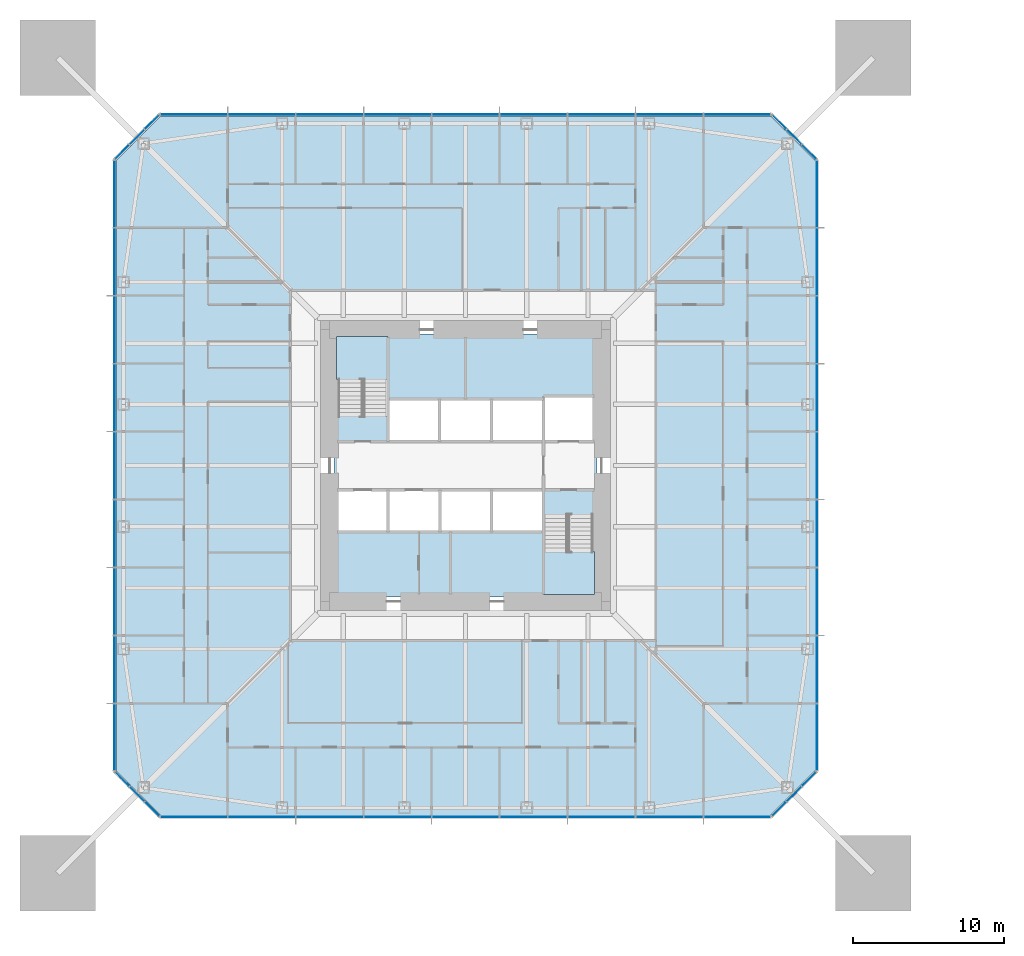
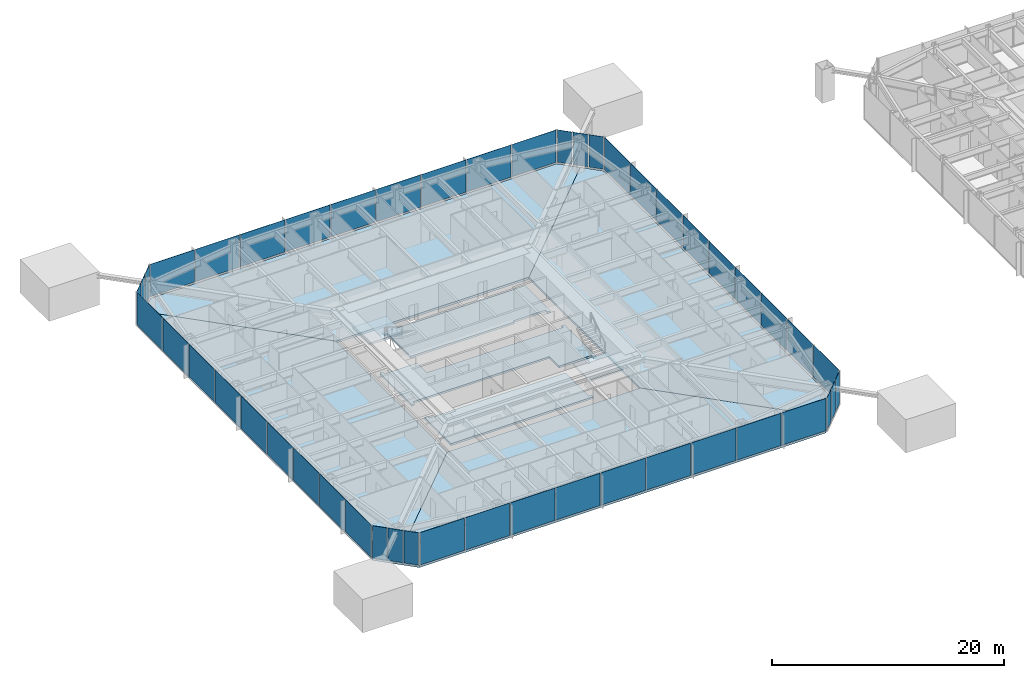
# One storey, part 12 of 26: 48 plates, 9 slabs, 10 elements without a shape of their own.
"""IFC4 building model written with IfcOpenShell, lengths in metres."""

import ifcopenshell
import ifcopenshell.guid

model = None  # the IFC model being written
_history = None  # IfcOwnerHistory: only IFC2X3 demands one
_inside = {}  # id of a spatial element -> (the spatial element, [elements in it])
_under = {}  # id of a project, library or spatial element -> (it, [spatial elements below it])
_declared = {}  # id of a project -> (the project, [libraries it declares])
_typed = {}  # id of a type object -> (the type object, [elements of that type])
_made_of = {}  # id of a material, layer set ... -> (it, [elements and type objects made of it])


def new_model(schema):
    """Start an empty IFC model of exactly this schema.

    Asked for "IFC4X3", IfcOpenShell would pick the latest addendum, in which some entities
    have other attributes; the version numbers below select the first issue.
    IFC2X3 requires an IfcOwnerHistory on every rooted entity: one is made here for all.
    """
    global model, _history
    if schema == "IFC4X3":
        model = ifcopenshell.file(schema_version=(4, 3, 0, 0))
    else:
        model = ifcopenshell.file(schema=schema)
    _inside.clear()
    _under.clear()
    _declared.clear()
    _typed.clear()
    _made_of.clear()
    _history = None
    if model.schema == "IFC2X3":
        org = make("IfcOrganization", Name="unknown")
        user = make(
            "IfcPersonAndOrganization",
            ThePerson=make("IfcPerson", FamilyName="unknown"),
            TheOrganization=org,
        )
        app = make(
            "IfcApplication",
            ApplicationDeveloper=org,
            Version="unknown",
            ApplicationFullName="unknown",
            ApplicationIdentifier="unknown",
        )
        _history = make(
            "IfcOwnerHistory",
            OwningUser=user,
            OwningApplication=app,
            ChangeAction="ADDED",
            CreationDate=0,
        )
    return model


def make(cls, **values):
    """One entity of the class cls with the attributes given. An attribute that is None is left unset."""
    return model.create_entity(
        cls, **{name: value for name, value in values.items() if value is not None}
    )


def rooted(cls, **values):
    """An entity with a GlobalId (a new one), such as an element, a storey or a relation."""
    return make(cls, GlobalId=ifcopenshell.guid.new(), OwnerHistory=_history, **values)


def si_unit(unit_type, name, prefix=None):
    """IfcSIUnit, for example si_unit("LENGTHUNIT", "METRE", prefix="MILLI")."""
    return make("IfcSIUnit", UnitType=unit_type, Prefix=prefix, Name=name)


def assignment(units):
    """IfcUnitAssignment: the units of a project."""
    return None if units is None else make("IfcUnitAssignment", Units=units)


def point(xyz):
    """IfcCartesianPoint."""
    return None if xyz is None else make("IfcCartesianPoint", Coordinates=xyz)


def direction(xyz):
    """IfcDirection."""
    return None if xyz is None else make("IfcDirection", DirectionRatios=xyz)


def frame(location, z_axis=None, x_axis=None):
    """IfcAxis2Placement3D, a coordinate frame: its origin and axes. An axis left out is left unset."""
    return make(
        "IfcAxis2Placement3D",
        Location=point(location),
        Axis=direction(z_axis),
        RefDirection=direction(x_axis),
    )


def frame_2d(location, x_axis=None):
    """IfcAxis2Placement2D, a coordinate frame in the plane: its origin and x axis."""
    return make(
        "IfcAxis2Placement2D", Location=point(location), RefDirection=direction(x_axis)
    )


def origin():
    """The frame at (0, 0, 0) with its axes left unset."""
    return frame((0.0, 0.0, 0.0))


def origin_2d():
    """The frame at (0, 0) in the plane with its x axis left unset."""
    return frame_2d((0.0, 0.0))


def place(relative_to, where):
    """IfcLocalPlacement: puts the frame where relative to a parent placement (None: the world)."""
    return make(
        "IfcLocalPlacement", PlacementRelTo=relative_to, RelativePlacement=where
    )


def context(
    kind, dimensions, precision=None, world=None, true_north=None, identifier=None
):
    """IfcGeometricRepresentationContext, for example the 3D "Model" context."""
    return make(
        "IfcGeometricRepresentationContext",
        ContextIdentifier=identifier,
        ContextType=kind,
        CoordinateSpaceDimension=dimensions,
        Precision=precision,
        WorldCoordinateSystem=world,
        TrueNorth=true_north,
    )


def subcontext(parent, identifier, kind, view, scale=None):
    """IfcGeometricRepresentationSubContext, for example "Body" below "Model"."""
    return make(
        "IfcGeometricRepresentationSubContext",
        ContextIdentifier=identifier,
        ContextType=kind,
        ParentContext=parent,
        TargetScale=scale,
        TargetView=view,
    )


def project(units=None, contexts=None):
    """IfcProject with its units and contexts."""
    return rooted(
        "IfcProject",
        Name="project",
        RepresentationContexts=contexts,
        UnitsInContext=assignment(units),
    )


def spatial(cls, under=None, at=None, **own):
    """A site, building, storey or space (cls), placed at a placement, below another one or the project."""
    s = rooted(cls, ObjectPlacement=at, **own)
    if under is not None:
        _under.setdefault(under.id(), (under, []))[1].append(s)
    return s


def polyline(points):
    """IfcPolyline through the points."""
    return make("IfcPolyline", Points=[point(p) for p in points])


def profile(cls, at=None, kind="AREA", **sizes):
    """A parametric profile (cls). Its sizes go by their IFC names, for example OverallWidth=200.0."""
    return make(cls, ProfileType=kind, Position=at, **sizes)


def rectangle(**sizes):
    """IfcRectangleProfileDef."""
    return profile("IfcRectangleProfileDef", **sizes)


def outline(outer, holes=None, kind="AREA"):
    """IfcArbitraryClosedProfileDef: a profile drawn as a closed curve; with holes, ...WithVoids."""
    if holes is None:
        return make("IfcArbitraryClosedProfileDef", ProfileType=kind, OuterCurve=outer)
    return make(
        "IfcArbitraryProfileDefWithVoids",
        ProfileType=kind,
        OuterCurve=outer,
        InnerCurves=holes,
    )


def extrude(swept, where, along, depth):
    """IfcExtrudedAreaSolid: the profile swept, set in the frame where, extruded along a direction by depth."""
    return make(
        "IfcExtrudedAreaSolid",
        SweptArea=swept,
        Position=where,
        ExtrudedDirection=direction(along),
        Depth=depth,
    )


def shape(context_of_items, identifier, shape_type, items):
    """IfcShapeRepresentation: the items that make up one representation, for example the "Body"."""
    return make(
        "IfcShapeRepresentation",
        ContextOfItems=context_of_items,
        RepresentationIdentifier=identifier,
        RepresentationType=shape_type,
        Items=items,
    )


def material(Name=None, Category=None):
    """IfcMaterial."""
    return make("IfcMaterial", Name=Name, Category=Category)


def layer(
    of_material, thickness, ventilated=None, Name=None, Category=None, Priority=None
):
    """IfcMaterialLayer: one layer of a wall or slab, of a material (None: an air gap)."""
    return make(
        "IfcMaterialLayer",
        Material=of_material,
        LayerThickness=thickness,
        IsVentilated=ventilated,
        Name=Name,
        Category=Category,
        Priority=Priority,
    )


def layer_set(layers, Name=None):
    """IfcMaterialLayerSet."""
    return make("IfcMaterialLayerSet", MaterialLayers=layers, LayerSetName=Name)


def constituent(of_material, Name=None, Category=None, fraction=None):
    """IfcMaterialConstituent: one of the materials an element consists of."""
    return make(
        "IfcMaterialConstituent",
        Name=Name,
        Material=of_material,
        Fraction=fraction,
        Category=Category,
    )


def constituent_set(constituents=None, Name=None):
    """IfcMaterialConstituentSet."""
    return make(
        "IfcMaterialConstituentSet", Name=Name, MaterialConstituents=constituents
    )


def made_of(thing, what):
    """Note that an element or type object is made of a material, layer set ...; save() writes the relation."""
    if what is not None:
        _made_of.setdefault(what.id(), (what, []))[1].append(thing)
    return thing


def type_object(cls, material=None, **own):
    """A type object (cls), such as IfcWallType, which elements share."""
    return made_of(rooted(cls, **own), material)


def element(
    cls,
    number,
    at=None,
    inside=None,
    cuts=None,
    type_object=None,
    material=None,
    context=None,
    identifier="Body",
    shape_type=None,
    held_by="IfcProductDefinitionShape",
    body=None,
    shapes=None,
    **own,
):
    """One element of the class cls, such as IfcWall. Its Tag is "e" and its number.

    at: its placement. inside: the storey or other place that contains it. cuts: it is an
    opening in that element (IfcRelVoidsElement). A single representation is given by context,
    identifier, shape_type and body (its items); several are given by shapes. held_by: the class
    of the entity that holds the representations. save() writes the other relations.
    """
    e = rooted(cls, Tag="e%d" % number, ObjectPlacement=at, **own)
    if body is not None:
        shapes = [shape(context, identifier, shape_type, body)]
    if shapes is not None:
        e.Representation = make(held_by, Representations=shapes)
    if inside is not None:
        _inside.setdefault(inside.id(), (inside, []))[1].append(e)
    if cuts is not None:
        rooted(
            "IfcRelVoidsElement", RelatingBuildingElement=cuts, RelatedOpeningElement=e
        )
    if type_object is not None:
        _typed.setdefault(type_object.id(), (type_object, []))[1].append(e)
    return made_of(e, material)


def aggregate(whole, parts):
    """IfcRelAggregates: a whole, such as a stair, and the parts it consists of."""
    return rooted("IfcRelAggregates", RelatingObject=whole, RelatedObjects=parts)


def save(model, path):
    """Write the relations noted so far, then the file.

    IfcRelAggregates (storeys below a building ...), IfcRelContainedInSpatialStructure (elements
    in a storey), IfcRelDefinesByType, IfcRelAssociatesMaterial and IfcRelDeclares: one each for
    every whole, place, type object, material and project.
    """
    for whole, parts in _under.values():
        aggregate(whole, parts)
    for where, things in _inside.values():
        rooted(
            "IfcRelContainedInSpatialStructure",
            RelatedElements=things,
            RelatingStructure=where,
        )
    for kind, things in _typed.values():
        rooted("IfcRelDefinesByType", RelatedObjects=things, RelatingType=kind)
    for what, things in _made_of.values():
        rooted("IfcRelAssociatesMaterial", RelatedObjects=things, RelatingMaterial=what)
    for by, libraries in _declared.values():
        rooted("IfcRelDeclares", RelatingContext=by, RelatedDefinitions=libraries)
    model.write(path)


model = new_model("IFC4")

# Units and contexts
model_context = context("Model", 3, precision=1e-05, world=origin(), true_north=direction((0.0, 1.0)))
body_context = subcontext(model_context, "Body", "Model", "MODEL_VIEW")
ifc_project = project(units=[si_unit("LENGTHUNIT", "METRE"), si_unit("AREAUNIT", "SQUARE_METRE"), si_unit("VOLUMEUNIT", "CUBIC_METRE"), si_unit("PLANEANGLEUNIT", "RADIAN"), si_unit("MASSUNIT", "GRAM", prefix="KILO")], contexts=[model_context])

# Site, building, storey
site_placement = place(None, origin())
site = spatial("IfcSite", under=ifc_project, at=site_placement, CompositionType="ELEMENT")
building_placement = place(site_placement, origin())
building = spatial("IfcBuilding", under=site, at=building_placement, Name="Iwan Alto Co-Living Towers", CompositionType="ELEMENT")
storey_placement = place(building_placement, frame((0.0, 0.0, 29.0)))
storey = spatial("IfcBuildingStorey", under=building, at=storey_placement, Name="L07", CompositionType="ELEMENT", Elevation=29.0)

# Slabs
ifc_material_1 = material(Name="Concrete f'c 30 MPa", Category="concrete")
ifc_layer_1 = layer(ifc_material_1, 0.199951171875)
ifc_layer_set_1 = layer_set([ifc_layer_1], Name="CORE FLOOR SLAB 200")
slab_type_1 = type_object("IfcSlabType", Name="CORE FLOOR SLAB 200", PredefinedType="FLOOR", material=ifc_layer_set_1)
slab_1_placement = place(storey_placement, frame((0.0, 0.0, -0.199951171875)))
element("IfcSlab", 1, at=slab_1_placement, inside=storey, type_object=slab_type_1, Name="T1 core floor L07", PredefinedType="FLOOR", context=body_context, shape_type="SweptSolid", body=[
    extrude(outline(polyline([(8.699951171875, -3.580078125), (8.39990234375, -3.580078125), (8.39990234375, -3.27001953125), (5.14990234375, -3.27001953125), (5.14990234375, -1.60009765625), (1.72509765625, -1.60009765625), (-1.699951171875, -1.60009765625), (-5.125, -1.60009765625), (-8.39990234375, -1.60009765625), (-8.39990234375, -1.909912109375), (-8.699951171875, -1.909912109375), (-8.699951171875, 3.580078125), (-8.39990234375, 3.580078125), (-8.39990234375, 3.27001953125), (-5.14990234375, 3.27001953125), (-5.14990234375, 1.60009765625), (-1.717041015625, 1.60009765625), (1.717041015625, 1.60009765625), (5.14990234375, 1.60009765625), (8.39990234375, 1.60009765625), (8.39990234375, 1.909912109375), (8.699951171875, 1.909912109375), (8.699951171875, -3.580078125)])), origin(), (0.0, 0.0, 1.0), 0.199951171875),
])
slab_2_placement = place(storey_placement, frame((0.0, 0.0, -0.199951171875)))
element("IfcSlab", 2, at=slab_2_placement, inside=storey, type_object=slab_type_1, Name="T1 core floor L07", PredefinedType="FLOOR", context=body_context, shape_type="SweptSolid", body=[
    extrude(outline(polyline([(-1.699951171875, -4.39990234375), (1.72509765625, -4.39990234375), (5.14990234375, -4.39990234375), (5.14990234375, -8.39990234375), (5.4599609375, -8.39990234375), (5.4599609375, -8.699951171875), (-8.699951171875, -8.699951171875), (-8.699951171875, -4.090087890625), (-8.39990234375, -4.090087890625), (-8.39990234375, -4.39990234375), (-5.125, -4.39990234375), (-1.699951171875, -4.39990234375)])), origin(), (0.0, 0.0, 1.0), 0.199951171875),
])
slab_3_placement = place(storey_placement, frame((0.0, 0.0, -0.199951171875)))
element("IfcSlab", 3, at=slab_3_placement, inside=storey, type_object=slab_type_1, Name="T1 core floor L07", PredefinedType="FLOOR", context=body_context, shape_type="SweptSolid", body=[
    extrude(outline(polyline([(1.717041015625, 4.39990234375), (-1.717041015625, 4.39990234375), (-5.14990234375, 4.39990234375), (-5.14990234375, 8.39990234375), (-5.4599609375, 8.39990234375), (-5.4599609375, 8.699951171875), (8.699951171875, 8.699951171875), (8.699951171875, 4.2900390625), (8.39990234375, 4.2900390625), (8.39990234375, 4.60009765625), (5.14990234375, 4.60009765625), (5.14990234375, 4.39990234375), (1.717041015625, 4.39990234375)])), origin(), (0.0, 0.0, 1.0), 0.199951171875),
])

# Curtain wall, plates
ifc_material_2 = material(Name="Bronze aluminium unitised frame", Category="aluminium")
curtain_wall_type_1 = type_object("IfcCurtainWallType", Name="CURTAIN WALL CW-A", PredefinedType="NOTDEFINED", material=ifc_material_2)
curtain_wall_1_placement = place(storey_placement, origin())
curtain_wall_1 = element("IfcCurtainWall", 4, at=curtain_wall_1_placement, inside=storey, type_object=curtain_wall_type_1, Name="T1 curtain wall S L07", PredefinedType="NOTDEFINED")
ifc_material_3 = material(Name="Bronze-tinted insulating glass", Category="glass")
ifc_layer_2 = layer(ifc_material_3, 0.031982421875)
ifc_layer_set_2 = layer_set([ifc_layer_2], Name="CW-A PANEL TINTED IGU 32")
plate_type_1 = type_object("IfcPlateType", Name="CW-A PANEL TINTED IGU 32", PredefinedType="CURTAIN_PANEL", material=ifc_layer_set_2)
plate_1_placement = place(storey_placement, frame((-17.97998046875, -23.25, 0.10009765625), z_axis=(0.0, 0.0, 1.0), x_axis=(1.0, 0.0, 0.0)))
plate_1 = element("IfcPlate", 5, at=plate_1_placement, type_object=plate_type_1, Name="CW-A panel 1.1", PredefinedType="CURTAIN_PANEL", context=body_context, shape_type="SweptSolid", body=[
    extrude(rectangle(XDim=4.3798828125, YDim=0.031982421875, at=origin_2d()), origin(), (0.0, 0.0, 1.0), 3.39990234375),
])
plate_2_placement = place(storey_placement, frame((-13.5, -23.25, 0.10009765625), z_axis=(0.0, 0.0, 1.0), x_axis=(1.0, 0.0, 0.0)))
plate_2 = element("IfcPlate", 6, at=plate_2_placement, type_object=plate_type_1, Name="CW-A panel 2.1", PredefinedType="CURTAIN_PANEL", context=body_context, shape_type="SweptSolid", body=[
    extrude(rectangle(XDim=4.419921875, YDim=0.031982421875, at=origin_2d()), origin(), (0.0, 0.0, 1.0), 3.39990234375),
])
plate_3_placement = place(storey_placement, frame((-9.0, -23.25, 0.10009765625), z_axis=(0.0, 0.0, 1.0), x_axis=(1.0, 0.0, 0.0)))
plate_3 = element("IfcPlate", 7, at=plate_3_placement, type_object=plate_type_1, Name="CW-A panel 3.1", PredefinedType="CURTAIN_PANEL", context=body_context, shape_type="SweptSolid", body=[
    extrude(rectangle(XDim=4.419921875, YDim=0.031982421875, at=origin_2d()), origin(), (0.0, 0.0, 1.0), 3.39990234375),
])
plate_4_placement = place(storey_placement, frame((-4.5, -23.25, 0.10009765625), z_axis=(0.0, 0.0, 1.0), x_axis=(1.0, 0.0, 0.0)))
plate_4 = element("IfcPlate", 8, at=plate_4_placement, type_object=plate_type_1, Name="CW-A panel 4.1", PredefinedType="CURTAIN_PANEL", context=body_context, shape_type="SweptSolid", body=[
    extrude(rectangle(XDim=4.419921875, YDim=0.031982421875, at=origin_2d()), origin(), (0.0, 0.0, 1.0), 3.39990234375),
])
plate_5_placement = place(storey_placement, frame((0.0, -23.25, 0.10009765625), z_axis=(0.0, 0.0, 1.0), x_axis=(1.0, 0.0, 0.0)))
plate_5 = element("IfcPlate", 9, at=plate_5_placement, type_object=plate_type_1, Name="CW-A panel 5.1", PredefinedType="CURTAIN_PANEL", context=body_context, shape_type="SweptSolid", body=[
    extrude(rectangle(XDim=4.419921875, YDim=0.031982421875, at=origin_2d()), origin(), (0.0, 0.0, 1.0), 3.39990234375),
])
plate_6_placement = place(storey_placement, frame((4.5, -23.25, 0.10009765625), z_axis=(0.0, 0.0, 1.0), x_axis=(1.0, 0.0, 0.0)))
plate_6 = element("IfcPlate", 10, at=plate_6_placement, type_object=plate_type_1, Name="CW-A panel 6.1", PredefinedType="CURTAIN_PANEL", context=body_context, shape_type="SweptSolid", body=[
    extrude(rectangle(XDim=4.419921875, YDim=0.031982421875, at=origin_2d()), origin(), (0.0, 0.0, 1.0), 3.39990234375),
])
plate_7_placement = place(storey_placement, frame((9.0, -23.25, 0.10009765625), z_axis=(0.0, 0.0, 1.0), x_axis=(1.0, 0.0, 0.0)))
plate_7 = element("IfcPlate", 11, at=plate_7_placement, type_object=plate_type_1, Name="CW-A panel 7.1", PredefinedType="CURTAIN_PANEL", context=body_context, shape_type="SweptSolid", body=[
    extrude(rectangle(XDim=4.419921875, YDim=0.031982421875, at=origin_2d()), origin(), (0.0, 0.0, 1.0), 3.39990234375),
])
plate_8_placement = place(storey_placement, frame((13.5, -23.25, 0.10009765625), z_axis=(0.0, 0.0, 1.0), x_axis=(1.0, 0.0, 0.0)))
plate_8 = element("IfcPlate", 12, at=plate_8_placement, type_object=plate_type_1, Name="CW-A panel 8.1", PredefinedType="CURTAIN_PANEL", context=body_context, shape_type="SweptSolid", body=[
    extrude(rectangle(XDim=4.419921875, YDim=0.031982421875, at=origin_2d()), origin(), (0.0, 0.0, 1.0), 3.39990234375),
])
plate_9_placement = place(storey_placement, frame((17.97998046875, -23.25, 0.10009765625), z_axis=(0.0, 0.0, 1.0), x_axis=(1.0, 0.0, 0.0)))
plate_9 = element("IfcPlate", 13, at=plate_9_placement, type_object=plate_type_1, Name="CW-A panel 9.1", PredefinedType="CURTAIN_PANEL", context=body_context, shape_type="SweptSolid", body=[
    extrude(rectangle(XDim=4.3798828125, YDim=0.031982421875, at=origin_2d()), origin(), (0.0, 0.0, 1.0), 3.39990234375),
])
aggregate(curtain_wall_1, [plate_1, plate_2, plate_3, plate_4, plate_5, plate_6, plate_7, plate_8, plate_9])

curtain_wall_2_placement = place(storey_placement, origin())
curtain_wall_2 = element("IfcCurtainWall", 14, at=curtain_wall_2_placement, inside=storey, type_object=curtain_wall_type_1, Name="T1 curtain wall E L07", PredefinedType="NOTDEFINED")
plate_10_placement = place(storey_placement, frame((23.25, -17.97998046875, 0.10009765625), z_axis=(0.0, 0.0, 1.0), x_axis=(0.0, 1.0, 0.0)))
plate_10 = element("IfcPlate", 15, at=plate_10_placement, type_object=plate_type_1, Name="CW-A panel 1.1", PredefinedType="CURTAIN_PANEL", context=body_context, shape_type="SweptSolid", body=[
    extrude(rectangle(XDim=4.3798828125, YDim=0.031982421875, at=origin_2d()), origin(), (0.0, 0.0, 1.0), 3.39990234375),
])
plate_11_placement = place(storey_placement, frame((23.25, -13.5, 0.10009765625), z_axis=(0.0, 0.0, 1.0), x_axis=(0.0, 1.0, 0.0)))
plate_11 = element("IfcPlate", 16, at=plate_11_placement, type_object=plate_type_1, Name="CW-A panel 2.1", PredefinedType="CURTAIN_PANEL", context=body_context, shape_type="SweptSolid", body=[
    extrude(rectangle(XDim=4.419921875, YDim=0.031982421875, at=origin_2d()), origin(), (0.0, 0.0, 1.0), 3.39990234375),
])
plate_12_placement = place(storey_placement, frame((23.25, -9.0, 0.10009765625), z_axis=(0.0, 0.0, 1.0), x_axis=(0.0, 1.0, 0.0)))
plate_12 = element("IfcPlate", 17, at=plate_12_placement, type_object=plate_type_1, Name="CW-A panel 3.1", PredefinedType="CURTAIN_PANEL", context=body_context, shape_type="SweptSolid", body=[
    extrude(rectangle(XDim=4.419921875, YDim=0.031982421875, at=origin_2d()), origin(), (0.0, 0.0, 1.0), 3.39990234375),
])
plate_13_placement = place(storey_placement, frame((23.25, -4.5, 0.10009765625), z_axis=(0.0, 0.0, 1.0), x_axis=(0.0, 1.0, 0.0)))
plate_13 = element("IfcPlate", 18, at=plate_13_placement, type_object=plate_type_1, Name="CW-A panel 4.1", PredefinedType="CURTAIN_PANEL", context=body_context, shape_type="SweptSolid", body=[
    extrude(rectangle(XDim=4.419921875, YDim=0.031982421875, at=origin_2d()), origin(), (0.0, 0.0, 1.0), 3.39990234375),
])
plate_14_placement = place(storey_placement, frame((23.25, 0.0, 0.10009765625), z_axis=(0.0, 0.0, 1.0), x_axis=(0.0, 1.0, 0.0)))
plate_14 = element("IfcPlate", 19, at=plate_14_placement, type_object=plate_type_1, Name="CW-A panel 5.1", PredefinedType="CURTAIN_PANEL", context=body_context, shape_type="SweptSolid", body=[
    extrude(rectangle(XDim=4.419921875, YDim=0.031982421875, at=origin_2d()), origin(), (0.0, 0.0, 1.0), 3.39990234375),
])
plate_15_placement = place(storey_placement, frame((23.25, 4.5, 0.10009765625), z_axis=(0.0, 0.0, 1.0), x_axis=(0.0, 1.0, 0.0)))
plate_15 = element("IfcPlate", 20, at=plate_15_placement, type_object=plate_type_1, Name="CW-A panel 6.1", PredefinedType="CURTAIN_PANEL", context=body_context, shape_type="SweptSolid", body=[
    extrude(rectangle(XDim=4.419921875, YDim=0.031982421875, at=origin_2d()), origin(), (0.0, 0.0, 1.0), 3.39990234375),
])
plate_16_placement = place(storey_placement, frame((23.25, 9.0, 0.10009765625), z_axis=(0.0, 0.0, 1.0), x_axis=(0.0, 1.0, 0.0)))
plate_16 = element("IfcPlate", 21, at=plate_16_placement, type_object=plate_type_1, Name="CW-A panel 7.1", PredefinedType="CURTAIN_PANEL", context=body_context, shape_type="SweptSolid", body=[
    extrude(rectangle(XDim=4.419921875, YDim=0.031982421875, at=origin_2d()), origin(), (0.0, 0.0, 1.0), 3.39990234375),
])
plate_17_placement = place(storey_placement, frame((23.25, 13.5, 0.10009765625), z_axis=(0.0, 0.0, 1.0), x_axis=(0.0, 1.0, 0.0)))
plate_17 = element("IfcPlate", 22, at=plate_17_placement, type_object=plate_type_1, Name="CW-A panel 8.1", PredefinedType="CURTAIN_PANEL", context=body_context, shape_type="SweptSolid", body=[
    extrude(rectangle(XDim=4.419921875, YDim=0.031982421875, at=origin_2d()), origin(), (0.0, 0.0, 1.0), 3.39990234375),
])
plate_18_placement = place(storey_placement, frame((23.25, 17.97998046875, 0.10009765625), z_axis=(0.0, 0.0, 1.0), x_axis=(0.0, 1.0, 0.0)))
plate_18 = element("IfcPlate", 23, at=plate_18_placement, type_object=plate_type_1, Name="CW-A panel 9.1", PredefinedType="CURTAIN_PANEL", context=body_context, shape_type="SweptSolid", body=[
    extrude(rectangle(XDim=4.3798828125, YDim=0.031982421875, at=origin_2d()), origin(), (0.0, 0.0, 1.0), 3.39990234375),
])
aggregate(curtain_wall_2, [plate_10, plate_11, plate_12, plate_13, plate_14, plate_15, plate_16, plate_17, plate_18])

curtain_wall_3_placement = place(storey_placement, origin())
curtain_wall_3 = element("IfcCurtainWall", 24, at=curtain_wall_3_placement, inside=storey, type_object=curtain_wall_type_1, Name="T1 curtain wall N L07", PredefinedType="NOTDEFINED")
plate_19_placement = place(storey_placement, frame((17.97998046875, 23.25, 0.10009765625), z_axis=(0.0, 0.0, 1.0), x_axis=(-1.0, 0.0, 0.0)))
plate_19 = element("IfcPlate", 25, at=plate_19_placement, type_object=plate_type_1, Name="CW-A panel 1.1", PredefinedType="CURTAIN_PANEL", context=body_context, shape_type="SweptSolid", body=[
    extrude(rectangle(XDim=4.3798828125, YDim=0.031982421875, at=origin_2d()), origin(), (0.0, 0.0, 1.0), 3.39990234375),
])
plate_20_placement = place(storey_placement, frame((13.5, 23.25, 0.10009765625), z_axis=(0.0, 0.0, 1.0), x_axis=(-1.0, 0.0, 0.0)))
plate_20 = element("IfcPlate", 26, at=plate_20_placement, type_object=plate_type_1, Name="CW-A panel 2.1", PredefinedType="CURTAIN_PANEL", context=body_context, shape_type="SweptSolid", body=[
    extrude(rectangle(XDim=4.419921875, YDim=0.031982421875, at=origin_2d()), origin(), (0.0, 0.0, 1.0), 3.39990234375),
])
plate_21_placement = place(storey_placement, frame((9.0, 23.25, 0.10009765625), z_axis=(0.0, 0.0, 1.0), x_axis=(-1.0, 0.0, 0.0)))
plate_21 = element("IfcPlate", 27, at=plate_21_placement, type_object=plate_type_1, Name="CW-A panel 3.1", PredefinedType="CURTAIN_PANEL", context=body_context, shape_type="SweptSolid", body=[
    extrude(rectangle(XDim=4.419921875, YDim=0.031982421875, at=origin_2d()), origin(), (0.0, 0.0, 1.0), 3.39990234375),
])
plate_22_placement = place(storey_placement, frame((4.5, 23.25, 0.10009765625), z_axis=(0.0, 0.0, 1.0), x_axis=(-1.0, 0.0, 0.0)))
plate_22 = element("IfcPlate", 28, at=plate_22_placement, type_object=plate_type_1, Name="CW-A panel 4.1", PredefinedType="CURTAIN_PANEL", context=body_context, shape_type="SweptSolid", body=[
    extrude(rectangle(XDim=4.419921875, YDim=0.031982421875, at=origin_2d()), origin(), (0.0, 0.0, 1.0), 3.39990234375),
])
plate_23_placement = place(storey_placement, frame((0.0, 23.25, 0.10009765625), z_axis=(0.0, 0.0, 1.0), x_axis=(-1.0, 0.0, 0.0)))
plate_23 = element("IfcPlate", 29, at=plate_23_placement, type_object=plate_type_1, Name="CW-A panel 5.1", PredefinedType="CURTAIN_PANEL", context=body_context, shape_type="SweptSolid", body=[
    extrude(rectangle(XDim=4.419921875, YDim=0.031982421875, at=origin_2d()), origin(), (0.0, 0.0, 1.0), 3.39990234375),
])
plate_24_placement = place(storey_placement, frame((-4.5, 23.25, 0.10009765625), z_axis=(0.0, 0.0, 1.0), x_axis=(-1.0, 0.0, 0.0)))
plate_24 = element("IfcPlate", 30, at=plate_24_placement, type_object=plate_type_1, Name="CW-A panel 6.1", PredefinedType="CURTAIN_PANEL", context=body_context, shape_type="SweptSolid", body=[
    extrude(rectangle(XDim=4.419921875, YDim=0.031982421875, at=origin_2d()), origin(), (0.0, 0.0, 1.0), 3.39990234375),
])
plate_25_placement = place(storey_placement, frame((-9.0, 23.25, 0.10009765625), z_axis=(0.0, 0.0, 1.0), x_axis=(-1.0, 0.0, 0.0)))
plate_25 = element("IfcPlate", 31, at=plate_25_placement, type_object=plate_type_1, Name="CW-A panel 7.1", PredefinedType="CURTAIN_PANEL", context=body_context, shape_type="SweptSolid", body=[
    extrude(rectangle(XDim=4.419921875, YDim=0.031982421875, at=origin_2d()), origin(), (0.0, 0.0, 1.0), 3.39990234375),
])
plate_26_placement = place(storey_placement, frame((-13.5, 23.25, 0.10009765625), z_axis=(0.0, 0.0, 1.0), x_axis=(-1.0, 0.0, 0.0)))
plate_26 = element("IfcPlate", 32, at=plate_26_placement, type_object=plate_type_1, Name="CW-A panel 8.1", PredefinedType="CURTAIN_PANEL", context=body_context, shape_type="SweptSolid", body=[
    extrude(rectangle(XDim=4.419921875, YDim=0.031982421875, at=origin_2d()), origin(), (0.0, 0.0, 1.0), 3.39990234375),
])
plate_27_placement = place(storey_placement, frame((-17.97998046875, 23.25, 0.10009765625), z_axis=(0.0, 0.0, 1.0), x_axis=(-1.0, 0.0, 0.0)))
plate_27 = element("IfcPlate", 33, at=plate_27_placement, type_object=plate_type_1, Name="CW-A panel 9.1", PredefinedType="CURTAIN_PANEL", context=body_context, shape_type="SweptSolid", body=[
    extrude(rectangle(XDim=4.3798828125, YDim=0.031982421875, at=origin_2d()), origin(), (0.0, 0.0, 1.0), 3.39990234375),
])
aggregate(curtain_wall_3, [plate_19, plate_20, plate_21, plate_22, plate_23, plate_24, plate_25, plate_26, plate_27])

curtain_wall_4_placement = place(storey_placement, origin())
curtain_wall_4 = element("IfcCurtainWall", 34, at=curtain_wall_4_placement, inside=storey, type_object=curtain_wall_type_1, Name="T1 curtain wall W L07", PredefinedType="NOTDEFINED")
plate_28_placement = place(storey_placement, frame((-23.25, 17.97998046875, 0.10009765625), z_axis=(0.0, 0.0, 1.0), x_axis=(0.0, -1.0, 0.0)))
plate_28 = element("IfcPlate", 35, at=plate_28_placement, type_object=plate_type_1, Name="CW-A panel 1.1", PredefinedType="CURTAIN_PANEL", context=body_context, shape_type="SweptSolid", body=[
    extrude(rectangle(XDim=4.3798828125, YDim=0.031982421875, at=origin_2d()), origin(), (0.0, 0.0, 1.0), 3.39990234375),
])
plate_29_placement = place(storey_placement, frame((-23.25, 13.5, 0.10009765625), z_axis=(0.0, 0.0, 1.0), x_axis=(0.0, -1.0, 0.0)))
plate_29 = element("IfcPlate", 36, at=plate_29_placement, type_object=plate_type_1, Name="CW-A panel 2.1", PredefinedType="CURTAIN_PANEL", context=body_context, shape_type="SweptSolid", body=[
    extrude(rectangle(XDim=4.419921875, YDim=0.031982421875, at=origin_2d()), origin(), (0.0, 0.0, 1.0), 3.39990234375),
])
plate_30_placement = place(storey_placement, frame((-23.25, 9.0, 0.10009765625), z_axis=(0.0, 0.0, 1.0), x_axis=(0.0, -1.0, 0.0)))
plate_30 = element("IfcPlate", 37, at=plate_30_placement, type_object=plate_type_1, Name="CW-A panel 3.1", PredefinedType="CURTAIN_PANEL", context=body_context, shape_type="SweptSolid", body=[
    extrude(rectangle(XDim=4.419921875, YDim=0.031982421875, at=origin_2d()), origin(), (0.0, 0.0, 1.0), 3.39990234375),
])
plate_31_placement = place(storey_placement, frame((-23.25, 4.5, 0.10009765625), z_axis=(0.0, 0.0, 1.0), x_axis=(0.0, -1.0, 0.0)))
plate_31 = element("IfcPlate", 38, at=plate_31_placement, type_object=plate_type_1, Name="CW-A panel 4.1", PredefinedType="CURTAIN_PANEL", context=body_context, shape_type="SweptSolid", body=[
    extrude(rectangle(XDim=4.419921875, YDim=0.031982421875, at=origin_2d()), origin(), (0.0, 0.0, 1.0), 3.39990234375),
])
plate_32_placement = place(storey_placement, frame((-23.25, 0.0, 0.10009765625), z_axis=(0.0, 0.0, 1.0), x_axis=(0.0, -1.0, 0.0)))
plate_32 = element("IfcPlate", 39, at=plate_32_placement, type_object=plate_type_1, Name="CW-A panel 5.1", PredefinedType="CURTAIN_PANEL", context=body_context, shape_type="SweptSolid", body=[
    extrude(rectangle(XDim=4.419921875, YDim=0.031982421875, at=origin_2d()), origin(), (0.0, 0.0, 1.0), 3.39990234375),
])
plate_33_placement = place(storey_placement, frame((-23.25, -4.5, 0.10009765625), z_axis=(0.0, 0.0, 1.0), x_axis=(0.0, -1.0, 0.0)))
plate_33 = element("IfcPlate", 40, at=plate_33_placement, type_object=plate_type_1, Name="CW-A panel 6.1", PredefinedType="CURTAIN_PANEL", context=body_context, shape_type="SweptSolid", body=[
    extrude(rectangle(XDim=4.419921875, YDim=0.031982421875, at=origin_2d()), origin(), (0.0, 0.0, 1.0), 3.39990234375),
])
plate_34_placement = place(storey_placement, frame((-23.25, -9.0, 0.10009765625), z_axis=(0.0, 0.0, 1.0), x_axis=(0.0, -1.0, 0.0)))
plate_34 = element("IfcPlate", 41, at=plate_34_placement, type_object=plate_type_1, Name="CW-A panel 7.1", PredefinedType="CURTAIN_PANEL", context=body_context, shape_type="SweptSolid", body=[
    extrude(rectangle(XDim=4.419921875, YDim=0.031982421875, at=origin_2d()), origin(), (0.0, 0.0, 1.0), 3.39990234375),
])
plate_35_placement = place(storey_placement, frame((-23.25, -13.5, 0.10009765625), z_axis=(0.0, 0.0, 1.0), x_axis=(0.0, -1.0, 0.0)))
plate_35 = element("IfcPlate", 42, at=plate_35_placement, type_object=plate_type_1, Name="CW-A panel 8.1", PredefinedType="CURTAIN_PANEL", context=body_context, shape_type="SweptSolid", body=[
    extrude(rectangle(XDim=4.419921875, YDim=0.031982421875, at=origin_2d()), origin(), (0.0, 0.0, 1.0), 3.39990234375),
])
plate_36_placement = place(storey_placement, frame((-23.25, -17.97998046875, 0.10009765625), z_axis=(0.0, 0.0, 1.0), x_axis=(0.0, -1.0, 0.0)))
plate_36 = element("IfcPlate", 43, at=plate_36_placement, type_object=plate_type_1, Name="CW-A panel 9.1", PredefinedType="CURTAIN_PANEL", context=body_context, shape_type="SweptSolid", body=[
    extrude(rectangle(XDim=4.3798828125, YDim=0.031982421875, at=origin_2d()), origin(), (0.0, 0.0, 1.0), 3.39990234375),
])
aggregate(curtain_wall_4, [plate_28, plate_29, plate_30, plate_31, plate_32, plate_33, plate_34, plate_35, plate_36])

ifc_material_4 = material(Name="Bronze aluminium unitised frame", Category="aluminium")
curtain_wall_type_2 = type_object("IfcCurtainWallType", Name="CURTAIN WALL CW-B", PredefinedType="NOTDEFINED", material=ifc_material_4)
curtain_wall_5_placement = place(storey_placement, origin())
curtain_wall_5 = element("IfcCurtainWall", 44, at=curtain_wall_5_placement, inside=storey, type_object=curtain_wall_type_2, Name="T1 chamfer curtain wall SE L07", PredefinedType="NOTDEFINED")
ifc_material_5 = material(Name="Bronze-tinted insulating glass", Category="glass")
ifc_layer_3 = layer(ifc_material_5, 0.031982421875)
ifc_layer_set_3 = layer_set([ifc_layer_3], Name="CW-B PANEL TINTED IGU 32")
plate_type_2 = type_object("IfcPlateType", Name="CW-B PANEL TINTED IGU 32", PredefinedType="CURTAIN_PANEL", material=ifc_layer_set_3)
plate_37_placement = place(storey_placement, frame((20.76416015625, -22.73583984375, 0.10009765625), z_axis=(0.0, 0.0, 1.0), x_axis=(0.707106781187, 0.707106781187, 0.0)))
plate_37 = element("IfcPlate", 45, at=plate_37_placement, type_object=plate_type_2, Name="CW-B panel 1.1", PredefinedType="CURTAIN_PANEL", context=body_context, shape_type="SweptSolid", body=[
    extrude(rectangle(XDim=1.294189453125, YDim=0.031982421875, at=origin_2d()), origin(), (0.0, 0.0, 1.0), 3.39990234375),
])
plate_38_placement = place(storey_placement, frame((21.75, -21.75, 0.10009765625), z_axis=(0.0, 0.0, 1.0), x_axis=(0.707106781187, 0.707106781187, 0.0)))
plate_38 = element("IfcPlate", 46, at=plate_38_placement, type_object=plate_type_2, Name="CW-B panel 2.1", PredefinedType="CURTAIN_PANEL", context=body_context, shape_type="SweptSolid", body=[
    extrude(rectangle(XDim=1.334228515625, YDim=0.031982421875, at=origin_2d()), origin(), (0.0, 0.0, 1.0), 3.39990234375),
])
plate_39_placement = place(storey_placement, frame((22.73583984375, -20.76416015625, 0.10009765625), z_axis=(0.0, 0.0, 1.0), x_axis=(0.707106781187, 0.707106781187, 0.0)))
plate_39 = element("IfcPlate", 47, at=plate_39_placement, type_object=plate_type_2, Name="CW-B panel 3.1", PredefinedType="CURTAIN_PANEL", context=body_context, shape_type="SweptSolid", body=[
    extrude(rectangle(XDim=1.294189453125, YDim=0.031982421875, at=origin_2d()), origin(), (0.0, 0.0, 1.0), 3.39990234375),
])
aggregate(curtain_wall_5, [plate_37, plate_38, plate_39])

curtain_wall_6_placement = place(storey_placement, origin())
curtain_wall_6 = element("IfcCurtainWall", 48, at=curtain_wall_6_placement, inside=storey, type_object=curtain_wall_type_2, Name="T1 chamfer curtain wall NE L07", PredefinedType="NOTDEFINED")
plate_40_placement = place(storey_placement, frame((22.73583984375, 20.76416015625, 0.10009765625), z_axis=(0.0, 0.0, 1.0), x_axis=(-0.707106781187, 0.707106781187, 0.0)))
plate_40 = element("IfcPlate", 49, at=plate_40_placement, type_object=plate_type_2, Name="CW-B panel 1.1", PredefinedType="CURTAIN_PANEL", context=body_context, shape_type="SweptSolid", body=[
    extrude(rectangle(XDim=1.294189453125, YDim=0.031982421875, at=origin_2d()), origin(), (0.0, 0.0, 1.0), 3.39990234375),
])
plate_41_placement = place(storey_placement, frame((21.75, 21.75, 0.10009765625), z_axis=(0.0, 0.0, 1.0), x_axis=(-0.707106781187, 0.707106781187, 0.0)))
plate_41 = element("IfcPlate", 50, at=plate_41_placement, type_object=plate_type_2, Name="CW-B panel 2.1", PredefinedType="CURTAIN_PANEL", context=body_context, shape_type="SweptSolid", body=[
    extrude(rectangle(XDim=1.334228515625, YDim=0.031982421875, at=origin_2d()), origin(), (0.0, 0.0, 1.0), 3.39990234375),
])
plate_42_placement = place(storey_placement, frame((20.76416015625, 22.73583984375, 0.10009765625), z_axis=(0.0, 0.0, 1.0), x_axis=(-0.707106781187, 0.707106781187, 0.0)))
plate_42 = element("IfcPlate", 51, at=plate_42_placement, type_object=plate_type_2, Name="CW-B panel 3.1", PredefinedType="CURTAIN_PANEL", context=body_context, shape_type="SweptSolid", body=[
    extrude(rectangle(XDim=1.294189453125, YDim=0.031982421875, at=origin_2d()), origin(), (0.0, 0.0, 1.0), 3.39990234375),
])
aggregate(curtain_wall_6, [plate_40, plate_41, plate_42])

curtain_wall_7_placement = place(storey_placement, origin())
curtain_wall_7 = element("IfcCurtainWall", 52, at=curtain_wall_7_placement, inside=storey, type_object=curtain_wall_type_2, Name="T1 chamfer curtain wall NW L07", PredefinedType="NOTDEFINED")
plate_43_placement = place(storey_placement, frame((-20.76416015625, 22.73583984375, 0.10009765625), z_axis=(0.0, 0.0, 1.0), x_axis=(-0.707106781187, -0.707106781187, 0.0)))
plate_43 = element("IfcPlate", 53, at=plate_43_placement, type_object=plate_type_2, Name="CW-B panel 1.1", PredefinedType="CURTAIN_PANEL", context=body_context, shape_type="SweptSolid", body=[
    extrude(rectangle(XDim=1.294189453125, YDim=0.031982421875, at=origin_2d()), origin(), (0.0, 0.0, 1.0), 3.39990234375),
])
plate_44_placement = place(storey_placement, frame((-21.75, 21.75, 0.10009765625), z_axis=(0.0, 0.0, 1.0), x_axis=(-0.707106781187, -0.707106781187, 0.0)))
plate_44 = element("IfcPlate", 54, at=plate_44_placement, type_object=plate_type_2, Name="CW-B panel 2.1", PredefinedType="CURTAIN_PANEL", context=body_context, shape_type="SweptSolid", body=[
    extrude(rectangle(XDim=1.334228515625, YDim=0.031982421875, at=origin_2d()), origin(), (0.0, 0.0, 1.0), 3.39990234375),
])
plate_45_placement = place(storey_placement, frame((-22.73583984375, 20.76416015625, 0.10009765625), z_axis=(0.0, 0.0, 1.0), x_axis=(-0.707106781187, -0.707106781187, 0.0)))
plate_45 = element("IfcPlate", 55, at=plate_45_placement, type_object=plate_type_2, Name="CW-B panel 3.1", PredefinedType="CURTAIN_PANEL", context=body_context, shape_type="SweptSolid", body=[
    extrude(rectangle(XDim=1.294189453125, YDim=0.031982421875, at=origin_2d()), origin(), (0.0, 0.0, 1.0), 3.39990234375),
])
aggregate(curtain_wall_7, [plate_43, plate_44, plate_45])

curtain_wall_8_placement = place(storey_placement, origin())
curtain_wall_8 = element("IfcCurtainWall", 56, at=curtain_wall_8_placement, inside=storey, type_object=curtain_wall_type_2, Name="T1 chamfer curtain wall SW L07", PredefinedType="NOTDEFINED")
plate_46_placement = place(storey_placement, frame((-22.73583984375, -20.76416015625, 0.10009765625), z_axis=(0.0, 0.0, 1.0), x_axis=(0.707106781187, -0.707106781187, 0.0)))
plate_46 = element("IfcPlate", 57, at=plate_46_placement, type_object=plate_type_2, Name="CW-B panel 1.1", PredefinedType="CURTAIN_PANEL", context=body_context, shape_type="SweptSolid", body=[
    extrude(rectangle(XDim=1.294189453125, YDim=0.031982421875, at=origin_2d()), origin(), (0.0, 0.0, 1.0), 3.39990234375),
])
plate_47_placement = place(storey_placement, frame((-21.75, -21.75, 0.10009765625), z_axis=(0.0, 0.0, 1.0), x_axis=(0.707106781187, -0.707106781187, 0.0)))
plate_47 = element("IfcPlate", 58, at=plate_47_placement, type_object=plate_type_2, Name="CW-B panel 2.1", PredefinedType="CURTAIN_PANEL", context=body_context, shape_type="SweptSolid", body=[
    extrude(rectangle(XDim=1.334228515625, YDim=0.031982421875, at=origin_2d()), origin(), (0.0, 0.0, 1.0), 3.39990234375),
])
plate_48_placement = place(storey_placement, frame((-20.76416015625, -22.73583984375, 0.10009765625), z_axis=(0.0, 0.0, 1.0), x_axis=(0.707106781187, -0.707106781187, 0.0)))
plate_48 = element("IfcPlate", 59, at=plate_48_placement, type_object=plate_type_2, Name="CW-B panel 3.1", PredefinedType="CURTAIN_PANEL", context=body_context, shape_type="SweptSolid", body=[
    extrude(rectangle(XDim=1.294189453125, YDim=0.031982421875, at=origin_2d()), origin(), (0.0, 0.0, 1.0), 3.39990234375),
])
aggregate(curtain_wall_8, [plate_46, plate_47, plate_48])

# Stair, slab
ifc_material_6 = material(Name="Steel ASTM A36", Category="steel")
ifc_constituent_1 = constituent(ifc_material_6, Name="Stringers", Category="LoadBearing")
ifc_material_7 = material(Name="Concrete f'c 30 MPa", Category="concrete")
ifc_constituent_2 = constituent(ifc_material_7, Name="Tread fill", Category="Finish")
ifc_constituent_set = constituent_set(constituents=[ifc_constituent_1, ifc_constituent_2], Name="STAIR 3500 TWO-FLIGHT T1 CORE")
stair_type = type_object("IfcStairType", Name="STAIR 3500 TWO-FLIGHT T1 CORE", PredefinedType="HALF_TURN_STAIR", material=ifc_constituent_set)
stair_1_placement = place(storey_placement, origin())
stair_1 = element("IfcStair", 60, at=stair_1_placement, inside=storey, type_object=stair_type, Name="Stair T1-S1 L07 to L08", PredefinedType="HALF_TURN_STAIR")
ifc_material_8 = material(Name="Concrete f'c 30 MPa", Category="concrete")
ifc_layer_4 = layer(ifc_material_8, 0.199951171875)
ifc_layer_set_4 = layer_set([ifc_layer_4], Name="STAIR LANDING 200")
slab_type_2 = type_object("IfcSlabType", Name="STAIR LANDING 200", PredefinedType="LANDING", material=ifc_layer_set_4)
slab_4_placement = place(storey_placement, frame((0.0, 0.0, 1.550048828125)))
slab_4 = element("IfcSlab", 61, at=slab_4_placement, type_object=slab_type_2, Name="T1-S1 landing 1", PredefinedType="LANDING", context=body_context, shape_type="SweptSolid", body=[
    extrude(outline(polyline([(-8.550048828125, 5.68994140625), (-8.550048828125, 8.550048828125), (-5.14990234375, 8.550048828125), (-5.14990234375, 5.68994140625), (-8.550048828125, 5.68994140625)])), origin(), (0.0, 0.0, 1.0), 0.199951171875),
])
aggregate(stair_1, [slab_4])

stair_2_placement = place(storey_placement, origin())
stair_2 = element("IfcStair", 62, at=stair_2_placement, inside=storey, type_object=stair_type, Name="Stair T1-S2 L07 to L08", PredefinedType="HALF_TURN_STAIR")
slab_5_placement = place(storey_placement, frame((0.0, 0.0, 1.550048828125)))
slab_5 = element("IfcSlab", 63, at=slab_5_placement, type_object=slab_type_2, Name="T1-S2 landing 1", PredefinedType="LANDING", context=body_context, shape_type="SweptSolid", body=[
    extrude(outline(polyline([(5.14990234375, -5.68994140625), (5.14990234375, -8.550048828125), (8.550048828125, -8.550048828125), (8.550048828125, -5.68994140625), (5.14990234375, -5.68994140625)])), origin(), (0.0, 0.0, 1.0), 0.199951171875),
])
aggregate(stair_2, [slab_5])

# Slabs
ifc_material_9 = material(Name="Concrete f'c 30 MPa", Category="concrete")
ifc_layer_5 = layer(ifc_material_9, 0.22998046875)
ifc_layer_set_5 = layer_set([ifc_layer_5], Name="T1 FLOOR SLAB 230")
slab_type_3 = type_object("IfcSlabType", Name="T1 FLOOR SLAB 230", PredefinedType="FLOOR", material=ifc_layer_set_5)
slab_6_placement = place(storey_placement, frame((0.0, 0.0, -0.22998046875)))
element("IfcSlab", 64, at=slab_6_placement, inside=storey, type_object=slab_type_3, Name="T1 floor slab L07 S pour", PredefinedType="FLOOR", context=body_context, shape_type="SweptSolid", body=[
    extrude(outline(polyline([(20.19140625, -23.14990234375), (-20.19140625, -23.14990234375), (-21.670654296875, -21.670654296875), (-9.60009765625, -9.60009765625), (9.60009765625, -9.60009765625), (21.670654296875, -21.670654296875), (20.19140625, -23.14990234375)])), origin(), (0.0, 0.0, 1.0), 0.22998046875),
])
slab_7_placement = place(storey_placement, frame((0.0, 0.0, -0.22998046875)))
element("IfcSlab", 65, at=slab_7_placement, inside=storey, type_object=slab_type_3, Name="T1 floor slab L07 E pour", PredefinedType="FLOOR", context=body_context, shape_type="SweptSolid", body=[
    extrude(outline(polyline([(23.14990234375, 20.19140625), (23.14990234375, -20.19140625), (21.670654296875, -21.670654296875), (9.60009765625, -9.60009765625), (9.60009765625, 9.60009765625), (21.670654296875, 21.670654296875), (23.14990234375, 20.19140625)])), origin(), (0.0, 0.0, 1.0), 0.22998046875),
])
slab_8_placement = place(storey_placement, frame((0.0, 0.0, -0.22998046875)))
element("IfcSlab", 66, at=slab_8_placement, inside=storey, type_object=slab_type_3, Name="T1 floor slab L07 N pour", PredefinedType="FLOOR", context=body_context, shape_type="SweptSolid", body=[
    extrude(outline(polyline([(-20.19140625, 23.14990234375), (20.19140625, 23.14990234375), (21.670654296875, 21.670654296875), (9.60009765625, 9.60009765625), (-9.60009765625, 9.60009765625), (-21.670654296875, 21.670654296875), (-20.19140625, 23.14990234375)])), origin(), (0.0, 0.0, 1.0), 0.22998046875),
])
slab_9_placement = place(storey_placement, frame((0.0, 0.0, -0.22998046875)))
element("IfcSlab", 67, at=slab_9_placement, inside=storey, type_object=slab_type_3, Name="T1 floor slab L07 W pour", PredefinedType="FLOOR", context=body_context, shape_type="SweptSolid", body=[
    extrude(outline(polyline([(-23.14990234375, 20.19140625), (-21.670654296875, 21.670654296875), (-9.60009765625, 9.60009765625), (-9.60009765625, -9.60009765625), (-21.670654296875, -21.670654296875), (-23.14990234375, -20.19140625), (-23.14990234375, 20.19140625)])), origin(), (0.0, 0.0, 1.0), 0.22998046875),
])

save(model, "model.ifc")
